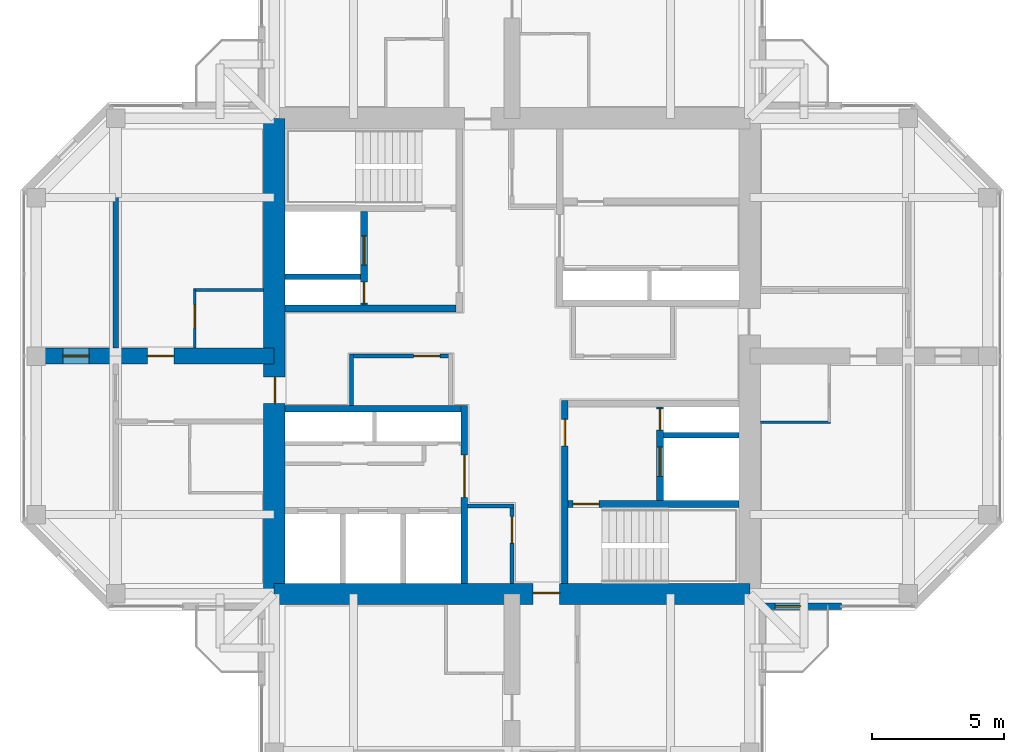
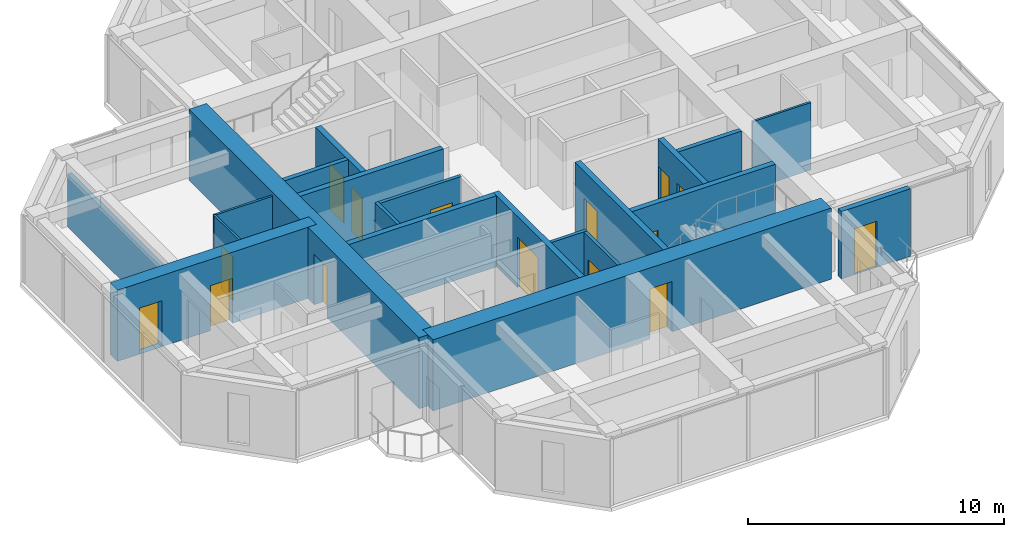
# One storey, part 9 of 13: 21 walls, 15 doors, 15 openings.
"""IFC4 building model written with IfcOpenShell, lengths in metres."""

from ifc_helpers import new_model, si_unit, direction, frame, frame_2d, origin, place, context, subcontext, project, spatial, rectangle, hollow_rectangle, extrude, material, layer, layer_set, constituent, constituent_set, type_object, element, fill, save


model = new_model("IFC4")

# Units and contexts
model_context = context("Model", 3, precision=1e-05, world=origin(), true_north=direction((0.0, 1.0)))
body_context = subcontext(model_context, "Body", "Model", "MODEL_VIEW")
ifc_project = project(units=[si_unit("LENGTHUNIT", "METRE"), si_unit("AREAUNIT", "SQUARE_METRE"), si_unit("VOLUMEUNIT", "CUBIC_METRE"), si_unit("PLANEANGLEUNIT", "RADIAN"), si_unit("MASSUNIT", "GRAM", prefix="KILO")], contexts=[model_context])

# Site, building, storey
site_placement = place(None, origin())
site = spatial("IfcSite", under=ifc_project, at=site_placement, CompositionType="ELEMENT")
building_placement = place(site_placement, origin())
building = spatial("IfcBuilding", under=site, at=building_placement, Name="Torre Cruceta", CompositionType="ELEMENT")
storey_placement = place(building_placement, frame((0.0, 0.0, 274.699951171875)))
storey = spatial("IfcBuildingStorey", under=building, at=storey_placement, Name="L71", CompositionType="ELEMENT", Elevation=274.699951171875)

# Walls
ifc_material_1 = material(Name="Water-resistant plasterboard on steel studs", Category="steel")
ifc_layer_1 = layer(ifc_material_1, 0.10009765625)
ifc_layer_set_1 = layer_set([ifc_layer_1], Name="Water-resistant plasterboard on steel studs")
wall_type_1 = type_object("IfcWallType", Name="BATHROOM WALL 100", PredefinedType="PARTITIONING", material=ifc_layer_set_1)
for number, where, z_axis, x_axis, name in (
    (1, (9.39990234375, -2.5, 0.0), (0.0, 0.0, 1.0), (1.0, 0.0, 0.0), "PT4 L71-E-U1RBB"),
    (2, (-9.39990234375, 2.5, 0.0), (0.0, 0.0, 1.0), (-1.0, 0.0, 0.0), "PT4 L71-W-U1RBB"),
):
    element("IfcWall", number, at=place(storey_placement, frame(where, z_axis=z_axis, x_axis=x_axis)), inside=storey, type_object=wall_type_1, Name=name, PredefinedType="PARTITIONING", context=body_context, shape_type="SweptSolid", body=[
        extrude(rectangle(XDim=2.650146484375, YDim=0.10009765625, at=frame_2d((1.3251953125, 0.0))), origin(), (0.0, 0.0, 1.0), 3.219970703125),
    ])

# Wall, opening, door
wall_1_placement = place(storey_placement, frame((-12.0, 2.5, 0.0), z_axis=(0.0, 0.0, 1.0), x_axis=(0.0, -1.0, 0.0)))
wall_1 = element("IfcWall", 3, at=wall_1_placement, inside=storey, type_object=wall_type_1, Name="PT4 L71-W-U1RBS", PredefinedType="PARTITIONING", context=body_context, shape_type="SweptSolid", body=[
    extrude(rectangle(XDim=2.199951171875, YDim=0.10009765625, at=frame_2d((1.10009765625, 0.0))), origin(), (0.0, 0.0, 1.0), 3.219970703125),
])
opening_1_placement = place(wall_1_placement, frame((0.550048828125, 0.0, 0.0)))
opening_1 = element("IfcOpeningElement", 4, at=opening_1_placement, cuts=wall_1, Name="Opening D7", PredefinedType="OPENING", context=body_context, shape_type="SweptSolid", body=[
    extrude(rectangle(XDim=0.89990234375, YDim=2.10009765625, at=frame_2d((0.449951171875, 1.050048828125))), frame((0.0, 0.06005859375, 0.0), z_axis=(0.0, -1.0, 0.0), x_axis=(1.0, 0.0, 0.0)), (0.0, 0.0, 1.0), 0.1201171875),
])
ifc_material_2 = material(Name="Timber door", Category="wood")
door_type_1 = type_object("IfcDoorType", Name="BATHROOM DOOR 900X2100", OperationType="SINGLE_SWING_LEFT", PredefinedType="DOOR", material=ifc_material_2)
door_1_placement = place(opening_1_placement, origin())
door_1 = element("IfcDoor", 5, at=door_1_placement, inside=storey, type_object=door_type_1, Name="D7 L71-W-U1RBS-D1", OperationType="SINGLE_SWING_LEFT", OverallHeight=2.10009765625, OverallWidth=0.89990234375, PredefinedType="DOOR", context=body_context, shape_type="SweptSolid", body=[
    extrude(rectangle(XDim=0.89990234375, YDim=2.10009765625, at=frame_2d((0.449951171875, 1.050048828125))), frame((0.0, 0.02490234375, 0.0), z_axis=(0.0, -1.0, 0.0), x_axis=(1.0, 0.0, 0.0)), (0.0, 0.0, 1.0), 0.050048828125),
])
fill(opening_1, door_1)

# Wall
ifc_material_3 = material(Name="Concrete G60 (fck 60 MPa)", Category="concrete")
ifc_layer_2 = layer(ifc_material_3, 0.25)
ifc_layer_set_2 = layer_set([ifc_layer_2], Name="Concrete G60 (fck 60 MPa)")
wall_type_2 = type_object("IfcWallType", Name="CORE INNER WALL 250 G60", PredefinedType="SHEAR", material=ifc_layer_set_2)
wall_2_placement = place(storey_placement, frame((-2.125, 1.800048828125, 0.0), z_axis=(0.0, 0.0, 1.0), x_axis=(-1.0, 0.0, 0.0)))
element("IfcWall", 6, at=wall_2_placement, inside=storey, type_object=wall_type_2, Name="CW4 L71 NW-CV", PredefinedType="SHEAR", context=body_context, shape_type="SweptSolid", body=[
    extrude(rectangle(XDim=6.47509765625, YDim=0.25, at=frame_2d((3.237548828125, 0.0))), origin(), (0.0, 0.0, 1.0), 3.400146484375),
])

# Wall, openings, doors
wall_3_placement = place(storey_placement, frame((-5.60009765625, 1.925048828125, 0.0), z_axis=(0.0, 0.0, 1.0), x_axis=(0.0, 1.0, 0.0)))
wall_3 = element("IfcWall", 7, at=wall_3_placement, inside=storey, type_object=wall_type_2, Name="CW4 L71 NW-FU", PredefinedType="SHEAR", context=body_context, shape_type="SweptSolid", body=[
    extrude(rectangle(XDim=3.550048828125, YDim=0.25, at=frame_2d((1.77490234375, 0.0))), origin(), (0.0, 0.0, 1.0), 3.400146484375),
])
opening_2_placement = place(wall_3_placement, frame((1.52490234375, 0.0, 0.0)))
opening_2 = element("IfcOpeningElement", 8, at=opening_2_placement, cuts=wall_3, Name="Opening LD1", PredefinedType="OPENING", context=body_context, shape_type="SweptSolid", body=[
    extrude(rectangle(XDim=1.10009765625, YDim=2.199951171875, at=frame_2d((0.550048828125, 1.10009765625))), frame((0.0, 0.135009765625, 0.0), z_axis=(0.0, -1.0, 0.0), x_axis=(1.0, 0.0, 0.0)), (0.0, 0.0, 1.0), 0.27001953125),
])
opening_3_placement = place(wall_3_placement, frame((0.074951171875, 0.0, 0.0)))
opening_3 = element("IfcOpeningElement", 9, at=opening_3_placement, cuts=wall_3, Name="Opening D5", PredefinedType="OPENING", context=body_context, shape_type="SweptSolid", body=[
    extrude(rectangle(XDim=0.800048828125, YDim=2.10009765625, at=frame_2d((0.39990234375, 1.050048828125))), frame((0.0, 0.135009765625, 0.0), z_axis=(0.0, -1.0, 0.0), x_axis=(1.0, 0.0, 0.0)), (0.0, 0.0, 1.0), 0.27001953125),
])
ifc_material_4 = material(Name="Stainless steel 1.4401", Category="steel")
door_type_2 = type_object("IfcDoorType", Name="LIFT LANDING DOOR 1100X2200", OperationType="DOUBLE_DOOR_SLIDING", PredefinedType="DOOR", material=ifc_material_4)
door_2_placement = place(opening_2_placement, origin())
door_2 = element("IfcDoor", 10, at=door_2_placement, inside=storey, type_object=door_type_2, Name="Lift landing door FL1", OperationType="DOUBLE_DOOR_SLIDING", OverallHeight=2.199951171875, OverallWidth=1.10009765625, PredefinedType="DOOR", context=body_context, shape_type="SweptSolid", body=[
    extrude(rectangle(XDim=1.10009765625, YDim=2.199951171875, at=frame_2d((0.550048828125, 1.10009765625))), frame((0.0, 0.02490234375, 0.0), z_axis=(0.0, -1.0, 0.0), x_axis=(1.0, 0.0, 0.0)), (0.0, 0.0, 1.0), 0.050048828125),
])
fill(opening_2, door_2)
ifc_material_5 = material(Name="Steel DX51D", Category="steel")
ifc_constituent_1 = constituent(ifc_material_5, Name="Leaf and frame")
ifc_material_6 = material(Name="Polyester powder coating", Category="paint")
ifc_constituent_2 = constituent(ifc_material_6, Name="Finish")
ifc_constituent_set_1 = constituent_set(constituents=[ifc_constituent_1, ifc_constituent_2], Name="Steel fire door")
door_type_3 = type_object("IfcDoorType", Name="RISER ACCESS DOOR 800X2100", OperationType="SINGLE_SWING_LEFT", PredefinedType="DOOR", material=ifc_constituent_set_1)
door_3_placement = place(opening_3_placement, origin())
door_3 = element("IfcDoor", 11, at=door_3_placement, inside=storey, type_object=door_type_3, Name="D5 L71 NW-RISER", OperationType="SINGLE_SWING_LEFT", OverallHeight=2.10009765625, OverallWidth=0.800048828125, PredefinedType="DOOR", context=body_context, shape_type="SweptSolid", body=[
    extrude(rectangle(XDim=0.800048828125, YDim=2.10009765625, at=frame_2d((0.39990234375, 1.050048828125))), frame((0.0, 0.02490234375, 0.0), z_axis=(0.0, -1.0, 0.0), x_axis=(1.0, 0.0, 0.0)), (0.0, 0.0, 1.0), 0.050048828125),
])
fill(opening_3, door_3)

# Wall, opening, door
wall_4_placement = place(storey_placement, frame((-1.800048828125, -1.875, 0.0), z_axis=(0.0, 0.0, 1.0), x_axis=(0.0, -1.0, 0.0)))
wall_4 = element("IfcWall", 12, at=wall_4_placement, inside=storey, type_object=wall_type_2, Name="CW4 L71 SW-CU", PredefinedType="SHEAR", context=body_context, shape_type="SweptSolid", body=[
    extrude(rectangle(XDim=6.72509765625, YDim=0.25, at=frame_2d((3.362548828125, 0.0))), origin(), (0.0, 0.0, 1.0), 3.400146484375),
])
opening_4_placement = place(wall_4_placement, frame((1.875, 0.0, 0.0)))
opening_4 = element("IfcOpeningElement", 13, at=opening_4_placement, cuts=wall_4, Name="Opening D8", PredefinedType="OPENING", context=body_context, shape_type="SweptSolid", body=[
    extrude(rectangle(XDim=1.60009765625, YDim=2.39990234375, at=frame_2d((0.800048828125, 1.199951171875))), frame((0.0, 0.135009765625, 0.0), z_axis=(0.0, -1.0, 0.0), x_axis=(1.0, 0.0, 0.0)), (0.0, 0.0, 1.0), 0.27001953125),
])
ifc_material_7 = material(Name="Steel DX51D", Category="steel")
ifc_constituent_3 = constituent(ifc_material_7, Name="Leaf and frame")
ifc_material_8 = material(Name="Polyester powder coating", Category="paint")
ifc_constituent_4 = constituent(ifc_material_8, Name="Finish")
ifc_material_9 = material(Name="Fire-resisting glass", Category="glass")
ifc_constituent_5 = constituent(ifc_material_9, Name="Vision panel")
ifc_constituent_set_2 = constituent_set(constituents=[ifc_constituent_3, ifc_constituent_4, ifc_constituent_5], Name="Steel fire door with vision panels")
door_type_4 = type_object("IfcDoorType", Name="LIFT LOBBY DOUBLE DOOR 1600X2400", OperationType="DOUBLE_DOOR_DOUBLE_SWING", PredefinedType="DOOR", material=ifc_constituent_set_2)
door_4_placement = place(opening_4_placement, origin())
door_4 = element("IfcDoor", 14, at=door_4_placement, inside=storey, type_object=door_type_4, Name="D8 L71 SW-LOBBY", OperationType="DOUBLE_DOOR_DOUBLE_SWING", OverallHeight=2.39990234375, OverallWidth=1.60009765625, PredefinedType="DOOR", context=body_context, shape_type="SweptSolid", body=[
    extrude(rectangle(XDim=1.60009765625, YDim=2.39990234375, at=frame_2d((0.800048828125, 1.199951171875))), frame((0.0, 0.02490234375, 0.0), z_axis=(0.0, -1.0, 0.0), x_axis=(1.0, 0.0, 0.0)), (0.0, 0.0, 1.0), 0.050048828125),
])
fill(opening_4, door_4)

# Wall
wall_5_placement = place(storey_placement, frame((-1.925048828125, -2.0, 0.0), z_axis=(0.0, 0.0, 1.0), x_axis=(-1.0, 0.0, 0.0)))
element("IfcWall", 15, at=wall_5_placement, inside=storey, type_object=wall_type_2, Name="CW4 L71 SW-CV", PredefinedType="SHEAR", context=body_context, shape_type="SweptSolid", body=[
    extrude(rectangle(XDim=6.675048828125, YDim=0.25, at=frame_2d((3.33740234375, 0.0))), origin(), (0.0, 0.0, 1.0), 3.400146484375),
])

# Wall, opening, door
wall_6_placement = place(storey_placement, frame((2.0, -1.675048828125, 0.0), z_axis=(0.0, 0.0, 1.0), x_axis=(0.0, -1.0, 0.0)))
wall_6 = element("IfcWall", 16, at=wall_6_placement, inside=storey, type_object=wall_type_2, Name="CW4 L71 SE-CU", PredefinedType="SHEAR", context=body_context, shape_type="SweptSolid", body=[
    extrude(rectangle(XDim=6.925048828125, YDim=0.25, at=frame_2d((3.46240234375, 0.0))), origin(), (0.0, 0.0, 1.0), 3.400146484375),
])
opening_5_placement = place(wall_6_placement, frame((0.72509765625, 0.0, 0.0)))
opening_5 = element("IfcOpeningElement", 17, at=opening_5_placement, cuts=wall_6, Name="Opening D3", PredefinedType="OPENING", context=body_context, shape_type="SweptSolid", body=[
    extrude(rectangle(XDim=1.0, YDim=2.10009765625, at=frame_2d((0.5, 1.050048828125))), frame((0.0, 0.135009765625, 0.0), z_axis=(0.0, -1.0, 0.0), x_axis=(1.0, 0.0, 0.0)), (0.0, 0.0, 1.0), 0.27001953125),
])
ifc_material_10 = material(Name="Steel DX51D", Category="steel")
ifc_constituent_6 = constituent(ifc_material_10, Name="Leaf and frame")
ifc_material_11 = material(Name="Polyester powder coating", Category="paint")
ifc_constituent_7 = constituent(ifc_material_11, Name="Finish")
ifc_constituent_set_3 = constituent_set(constituents=[ifc_constituent_6, ifc_constituent_7], Name="Steel fire door")
door_type_5 = type_object("IfcDoorType", Name="FIRE DOOR 1000X2100", OperationType="SINGLE_SWING_LEFT", PredefinedType="DOOR", material=ifc_constituent_set_3)
door_5_placement = place(opening_5_placement, origin())
door_5 = element("IfcDoor", 18, at=door_5_placement, inside=storey, type_object=door_type_5, Name="D3 L71 SE-LOBBY", OperationType="SINGLE_SWING_LEFT", OverallHeight=2.10009765625, OverallWidth=1.0, PredefinedType="DOOR", context=body_context, shape_type="SweptSolid", body=[
    extrude(rectangle(XDim=1.0, YDim=2.10009765625, at=frame_2d((0.5, 1.050048828125))), frame((0.0, 0.02490234375, 0.0), z_axis=(0.0, -1.0, 0.0), x_axis=(1.0, 0.0, 0.0)), (0.0, 0.0, 1.0), 0.050048828125),
])
fill(opening_5, door_5)

wall_7_placement = place(storey_placement, frame((2.125, -5.60009765625, 0.0), z_axis=(0.0, 0.0, 1.0), x_axis=(1.0, 0.0, 0.0)))
wall_7 = element("IfcWall", 19, at=wall_7_placement, inside=storey, type_object=wall_type_2, Name="CW4 L71 SE-SV", PredefinedType="SHEAR", context=body_context, shape_type="SweptSolid", body=[
    extrude(rectangle(XDim=6.47509765625, YDim=0.25, at=frame_2d((3.237548828125, 0.0))), origin(), (0.0, 0.0, 1.0), 3.400146484375),
])
opening_6_placement = place(wall_7_placement, frame((0.175048828125, 0.0, 0.0)))
opening_6 = element("IfcOpeningElement", 20, at=opening_6_placement, cuts=wall_7, Name="Opening D3", PredefinedType="OPENING", context=body_context, shape_type="SweptSolid", body=[
    extrude(rectangle(XDim=1.0, YDim=2.10009765625, at=frame_2d((0.5, 1.050048828125))), frame((0.0, 0.135009765625, 0.0), z_axis=(0.0, -1.0, 0.0), x_axis=(1.0, 0.0, 0.0)), (0.0, 0.0, 1.0), 0.27001953125),
])
door_6_placement = place(opening_6_placement, frame((1.0, 0.0, 0.0), z_axis=(0.0, 0.0, 1.0), x_axis=(-1.0, 0.0, 0.0)))
door_6 = element("IfcDoor", 21, at=door_6_placement, inside=storey, type_object=door_type_5, Name="D3 L71 SE-STAIR", OperationType="SINGLE_SWING_RIGHT", OverallHeight=2.10009765625, OverallWidth=1.0, PredefinedType="DOOR", context=body_context, shape_type="SweptSolid", body=[
    extrude(rectangle(XDim=1.0, YDim=2.10009765625, at=frame_2d((0.5, 1.050048828125))), frame((0.0, 0.025146484375, 0.0), z_axis=(0.0, -1.0, 0.0), x_axis=(1.0, 0.0, 0.0)), (0.0, 0.0, 1.0), 0.050048828125),
])
fill(opening_6, door_6)

# Wall, openings, doors
wall_8_placement = place(storey_placement, frame((5.60009765625, -1.925048828125, 0.0), z_axis=(0.0, 0.0, 1.0), x_axis=(0.0, -1.0, 0.0)))
wall_8 = element("IfcWall", 22, at=wall_8_placement, inside=storey, type_object=wall_type_2, Name="CW4 L71 SE-FU", PredefinedType="SHEAR", context=body_context, shape_type="SweptSolid", body=[
    extrude(rectangle(XDim=3.550048828125, YDim=0.25, at=frame_2d((1.77490234375, 0.0))), origin(), (0.0, 0.0, 1.0), 3.400146484375),
])
opening_7_placement = place(wall_8_placement, frame((1.52490234375, 0.0, 0.0)))
opening_7 = element("IfcOpeningElement", 23, at=opening_7_placement, cuts=wall_8, Name="Opening LD1", PredefinedType="OPENING", context=body_context, shape_type="SweptSolid", body=[
    extrude(rectangle(XDim=1.10009765625, YDim=2.199951171875, at=frame_2d((0.550048828125, 1.10009765625))), frame((0.0, 0.135009765625, 0.0), z_axis=(0.0, -1.0, 0.0), x_axis=(1.0, 0.0, 0.0)), (0.0, 0.0, 1.0), 0.27001953125),
])
opening_8_placement = place(wall_8_placement, frame((0.074951171875, 0.0, 0.0)))
opening_8 = element("IfcOpeningElement", 24, at=opening_8_placement, cuts=wall_8, Name="Opening D5", PredefinedType="OPENING", context=body_context, shape_type="SweptSolid", body=[
    extrude(rectangle(XDim=0.800048828125, YDim=2.10009765625, at=frame_2d((0.39990234375, 1.050048828125))), frame((0.0, 0.135009765625, 0.0), z_axis=(0.0, -1.0, 0.0), x_axis=(1.0, 0.0, 0.0)), (0.0, 0.0, 1.0), 0.27001953125),
])
door_7_placement = place(opening_7_placement, origin())
door_7 = element("IfcDoor", 25, at=door_7_placement, inside=storey, type_object=door_type_2, Name="Lift landing door FL2", OperationType="DOUBLE_DOOR_SLIDING", OverallHeight=2.199951171875, OverallWidth=1.10009765625, PredefinedType="DOOR", context=body_context, shape_type="SweptSolid", body=[
    extrude(rectangle(XDim=1.10009765625, YDim=2.199951171875, at=frame_2d((0.550048828125, 1.10009765625))), frame((0.0, 0.02490234375, 0.0), z_axis=(0.0, -1.0, 0.0), x_axis=(1.0, 0.0, 0.0)), (0.0, 0.0, 1.0), 0.050048828125),
])
fill(opening_7, door_7)
door_8_placement = place(opening_8_placement, origin())
door_8 = element("IfcDoor", 26, at=door_8_placement, inside=storey, type_object=door_type_3, Name="D5 L71 SE-RISER", OperationType="SINGLE_SWING_LEFT", OverallHeight=2.10009765625, OverallWidth=0.800048828125, PredefinedType="DOOR", context=body_context, shape_type="SweptSolid", body=[
    extrude(rectangle(XDim=0.800048828125, YDim=2.10009765625, at=frame_2d((0.39990234375, 1.050048828125))), frame((0.0, 0.02490234375, 0.0), z_axis=(0.0, -1.0, 0.0), x_axis=(1.0, 0.0, 0.0)), (0.0, 0.0, 1.0), 0.050048828125),
])
fill(opening_8, door_8)

# Wall, opening, door
ifc_material_12 = material(Name="Concrete G60 (fck 60 MPa)", Category="concrete")
ifc_layer_3 = layer(ifc_material_12, 0.800048828125)
ifc_layer_set_3 = layer_set([ifc_layer_3], Name="Concrete G60 (fck 60 MPa)")
wall_type_3 = type_object("IfcWallType", Name="CORE WALL 800 G60", PredefinedType="SHEAR", material=ifc_layer_set_3)
wall_9_placement = place(storey_placement, frame((-9.0, -9.0, 0.0), z_axis=(0.0, 0.0, 1.0), x_axis=(1.0, 0.0, 0.0)))
wall_9 = element("IfcWall", 27, at=wall_9_placement, inside=storey, type_object=wall_type_3, Name="CW3 L71 CW-S", PredefinedType="SHEAR", context=body_context, shape_type="SweptSolid", body=[
    extrude(rectangle(XDim=18.0, YDim=0.800048828125, at=frame_2d((9.0, 0.0))), origin(), (0.0, 0.0, 1.0), 3.400146484375),
])
opening_9_placement = place(wall_9_placement, frame((9.800048828125, 0.0, 0.0)))
opening_9 = element("IfcOpeningElement", 28, at=opening_9_placement, cuts=wall_9, Name="Opening D4", PredefinedType="OPENING", context=body_context, shape_type="SweptSolid", body=[
    extrude(rectangle(XDim=1.0, YDim=2.39990234375, at=frame_2d((0.5, 1.199951171875))), frame((0.0, 0.409912109375, 0.0), z_axis=(0.0, -1.0, 0.0), x_axis=(1.0, 0.0, 0.0)), (0.0, 0.0, 1.0), 0.820068359375),
])
ifc_material_13 = material(Name="Steel DX51D", Category="steel")
ifc_constituent_8 = constituent(ifc_material_13, Name="Leaf and frame")
ifc_material_14 = material(Name="Polyester powder coating", Category="paint")
ifc_constituent_9 = constituent(ifc_material_14, Name="Finish")
ifc_constituent_set_4 = constituent_set(constituents=[ifc_constituent_8, ifc_constituent_9], Name="Steel fire door")
door_type_6 = type_object("IfcDoorType", Name="CORE ARM DOOR 1000X2400", OperationType="SINGLE_SWING_RIGHT", PredefinedType="DOOR", material=ifc_constituent_set_4)
door_9_placement = place(opening_9_placement, origin())
door_9 = element("IfcDoor", 29, at=door_9_placement, inside=storey, type_object=door_type_6, Name="D4 L71 CW-S", OperationType="SINGLE_SWING_RIGHT", OverallHeight=2.39990234375, OverallWidth=1.0, PredefinedType="DOOR", context=body_context, shape_type="SweptSolid", body=[
    extrude(rectangle(XDim=1.0, YDim=2.39990234375, at=frame_2d((0.5, 1.199951171875))), frame((0.0, 0.05517578125, 0.0), z_axis=(0.0, -1.0, 0.0), x_axis=(1.0, 0.0, 0.0)), (0.0, 0.0, 1.0), 0.050048828125),
])
fill(opening_9, door_9)

wall_10_placement = place(storey_placement, frame((-9.0, 9.0, 0.0), z_axis=(0.0, 0.0, 1.0), x_axis=(0.0, -1.0, 0.0)))
wall_10 = element("IfcWall", 30, at=wall_10_placement, inside=storey, type_object=wall_type_3, Name="CW3 L71 CW-W", PredefinedType="SHEAR", context=body_context, shape_type="SweptSolid", body=[
    extrude(rectangle(XDim=18.0, YDim=0.800048828125, at=frame_2d((9.0, 0.0))), origin(), (0.0, 0.0, 1.0), 3.400146484375),
])
opening_10_placement = place(wall_10_placement, frame((9.800048828125, 0.0, 0.0)))
opening_10 = element("IfcOpeningElement", 31, at=opening_10_placement, cuts=wall_10, Name="Opening D4", PredefinedType="OPENING", context=body_context, shape_type="SweptSolid", body=[
    extrude(rectangle(XDim=1.0, YDim=2.39990234375, at=frame_2d((0.5, 1.199951171875))), frame((0.0, 0.409912109375, 0.0), z_axis=(0.0, -1.0, 0.0), x_axis=(1.0, 0.0, 0.0)), (0.0, 0.0, 1.0), 0.820068359375),
])
door_10_placement = place(opening_10_placement, origin())
door_10 = element("IfcDoor", 32, at=door_10_placement, inside=storey, type_object=door_type_6, Name="D4 L71 CW-W", OperationType="SINGLE_SWING_RIGHT", OverallHeight=2.39990234375, OverallWidth=1.0, PredefinedType="DOOR", context=body_context, shape_type="SweptSolid", body=[
    extrude(rectangle(XDim=1.0, YDim=2.39990234375, at=frame_2d((0.5, 1.199951171875))), frame((0.0, 0.05517578125, 0.0), z_axis=(0.0, -1.0, 0.0), x_axis=(1.0, 0.0, 0.0)), (0.0, 0.0, 1.0), 0.050048828125),
])
fill(opening_10, door_10)

# Walls
ifc_material_15 = material(Name="Concrete G35 (fck 35 MPa)", Category="concrete")
ifc_layer_4 = layer(ifc_material_15, 0.199951171875)
ifc_layer_set_4 = layer_set([ifc_layer_4], Name="Concrete G35 (fck 35 MPa)")
wall_type_4 = type_object("IfcWallType", Name="LIFT SHAFT WALL 200", PredefinedType="PARTITIONING", material=ifc_layer_set_4)
for number, where, z_axis, x_axis, name in (
    (33, (-5.72509765625, 3.0, 0.0), (0.0, 0.0, 1.0), (-1.0, 0.0, 0.0), "SW1 L71 NW-FR"),
    (34, (5.72509765625, -3.0, 0.0), (0.0, 0.0, 1.0), (1.0, 0.0, 0.0), "SW1 L71 SE-FR"),
):
    element("IfcWall", number, at=place(storey_placement, frame(where, z_axis=z_axis, x_axis=x_axis)), inside=storey, type_object=wall_type_4, Name=name, PredefinedType="PARTITIONING", context=body_context, shape_type="SweptSolid", body=[
        extrude(rectangle(XDim=2.875, YDim=0.199951171875, at=frame_2d((1.4375, 0.0))), origin(), (0.0, 0.0, 1.0), 3.400146484375),
    ])

# Wall, opening, door
ifc_material_16 = material(Name="Plasterboard on steel studs", Category="steel")
ifc_layer_5 = layer(ifc_material_16, 0.14990234375)
ifc_layer_set_5 = layer_set([ifc_layer_5], Name="Plasterboard on steel studs")
wall_type_5 = type_object("IfcWallType", Name="PARTITION 150", PredefinedType="PARTITIONING", material=ifc_layer_set_5)
wall_11_placement = place(storey_placement, frame((-2.324951171875, 0.0, 0.0), z_axis=(0.0, 0.0, 1.0), x_axis=(-1.0, 0.0, 0.0)))
wall_11 = element("IfcWall", 35, at=wall_11_placement, inside=storey, type_object=wall_type_5, Name="PT1 L71-CORE-LEGW-S-W1", PredefinedType="PARTITIONING", context=body_context, shape_type="SweptSolid", body=[
    extrude(rectangle(XDim=3.75, YDim=0.14990234375, at=frame_2d((1.875, 0.0))), origin(), (0.0, 0.0, 1.0), 3.219970703125),
])
opening_11_placement = place(wall_11_placement, frame((0.39990234375, 0.0, 0.0)))
opening_11 = element("IfcOpeningElement", 36, at=opening_11_placement, cuts=wall_11, Name="Opening D3", PredefinedType="OPENING", context=body_context, shape_type="SweptSolid", body=[
    extrude(rectangle(XDim=1.0, YDim=2.10009765625, at=frame_2d((0.5, 1.050048828125))), frame((0.0, 0.0849609375, 0.0), z_axis=(0.0, -1.0, 0.0), x_axis=(1.0, 0.0, 0.0)), (0.0, 0.0, 1.0), 0.169921875),
])
door_11_placement = place(opening_11_placement, origin())
door_11 = element("IfcDoor", 37, at=door_11_placement, inside=storey, type_object=door_type_5, Name="D3 L71-CORE-LEGW-S-W1-D1", OperationType="SINGLE_SWING_LEFT", OverallHeight=2.10009765625, OverallWidth=1.0, PredefinedType="DOOR", context=body_context, shape_type="SweptSolid", body=[
    extrude(rectangle(XDim=1.0, YDim=2.10009765625, at=frame_2d((0.5, 1.050048828125))), frame((0.0, 0.02490234375, 0.0), z_axis=(0.0, -1.0, 0.0), x_axis=(1.0, 0.0, 0.0)), (0.0, 0.0, 1.0), 0.050048828125),
])
fill(opening_11, door_11)

# Wall
wall_12_placement = place(storey_placement, frame((-6.074951171875, 0.074951171875, 0.0), z_axis=(0.0, 0.0, 1.0), x_axis=(0.0, -1.0, 0.0)))
element("IfcWall", 38, at=wall_12_placement, inside=storey, type_object=wall_type_5, Name="PT1 L71-CORE-LEGW-S-W3", PredefinedType="PARTITIONING", context=body_context, shape_type="SweptSolid", body=[
    extrude(rectangle(XDim=1.949951171875, YDim=0.14990234375, at=frame_2d((0.97509765625, 0.0))), origin(), (0.0, 0.0, 1.0), 3.219970703125),
])

# Wall, opening, door
wall_13_placement = place(storey_placement, frame((0.0, -5.675048828125, 0.0), z_axis=(0.0, 0.0, 1.0), x_axis=(0.0, -1.0, 0.0)))
wall_13 = element("IfcWall", 39, at=wall_13_placement, inside=storey, type_object=wall_type_5, Name="PT1 L71-CORE-LEGS-W-W1", PredefinedType="PARTITIONING", context=body_context, shape_type="SweptSolid", body=[
    extrude(rectangle(XDim=2.925048828125, YDim=0.14990234375, at=frame_2d((1.46240234375, 0.0))), origin(), (0.0, 0.0, 1.0), 3.219970703125),
])
opening_12_placement = place(wall_13_placement, frame((0.39990234375, 0.0, 0.0)))
opening_12 = element("IfcOpeningElement", 40, at=opening_12_placement, cuts=wall_13, Name="Opening D3", PredefinedType="OPENING", context=body_context, shape_type="SweptSolid", body=[
    extrude(rectangle(XDim=1.0, YDim=2.10009765625, at=frame_2d((0.5, 1.050048828125))), frame((0.0, 0.0849609375, 0.0), z_axis=(0.0, -1.0, 0.0), x_axis=(1.0, 0.0, 0.0)), (0.0, 0.0, 1.0), 0.169921875),
])
door_12_placement = place(opening_12_placement, frame((1.0, 0.0, 0.0), z_axis=(0.0, 0.0, 1.0), x_axis=(-1.0, 0.0, 0.0)))
door_12 = element("IfcDoor", 41, at=door_12_placement, inside=storey, type_object=door_type_5, Name="D3 L71-CORE-LEGS-W-W1-D1", OperationType="SINGLE_SWING_RIGHT", OverallHeight=2.10009765625, OverallWidth=1.0, PredefinedType="DOOR", context=body_context, shape_type="SweptSolid", body=[
    extrude(rectangle(XDim=1.0, YDim=2.10009765625, at=frame_2d((0.5, 1.050048828125))), frame((0.0, 0.025146484375, 0.0), z_axis=(0.0, -1.0, 0.0), x_axis=(1.0, 0.0, 0.0)), (0.0, 0.0, 1.0), 0.050048828125),
])
fill(opening_12, door_12)

# Wall
wall_14_placement = place(storey_placement, frame((-1.675048828125, -5.675048828125, 0.0), z_axis=(0.0, 0.0, 1.0), x_axis=(1.0, 0.0, 0.0)))
element("IfcWall", 42, at=wall_14_placement, inside=storey, type_object=wall_type_5, Name="PT1 L71-CORE-LEGS-W-W2", PredefinedType="PARTITIONING", context=body_context, shape_type="SweptSolid", body=[
    extrude(rectangle(XDim=1.75, YDim=0.14990234375, at=frame_2d((0.875, 0.0))), origin(), (0.0, 0.0, 1.0), 3.219970703125),
])

# Wall, openings, doors
ifc_material_17 = material(Name="Concrete G60 (fck 60 MPa)", Category="concrete")
ifc_layer_6 = layer(ifc_material_17, 0.60009765625)
ifc_layer_set_6 = layer_set([ifc_layer_6], Name="Concrete G60 (fck 60 MPa)")
wall_type_6 = type_object("IfcWallType", Name="SPINE WALL 600 G60", PredefinedType="SHEAR", material=ifc_layer_set_6)
wall_15_placement = place(storey_placement, frame((-9.0, 0.0, 0.0), z_axis=(0.0, 0.0, 1.0), x_axis=(-1.0, 0.0, 0.0)))
wall_15 = element("IfcWall", 43, at=wall_15_placement, inside=storey, type_object=wall_type_6, Name="SW5 spine wall L71 W", PredefinedType="SHEAR", context=body_context, shape_type="SweptSolid", body=[
    extrude(rectangle(XDim=9.0, YDim=0.60009765625, at=frame_2d((4.5, 0.0))), origin(), (0.0, 0.0, 1.0), 3.400146484375),
])
opening_13_placement = place(wall_15_placement, frame((3.800048828125, 0.0, 0.0)))
opening_13 = element("IfcOpeningElement", 44, at=opening_13_placement, cuts=wall_15, Name="Opening D6", PredefinedType="OPENING", context=body_context, shape_type="SweptSolid", body=[
    extrude(rectangle(XDim=1.0, YDim=2.14990234375, at=frame_2d((0.5, 1.074951171875))), frame((0.0, 0.31005859375, 0.0), z_axis=(0.0, -1.0, 0.0), x_axis=(1.0, 0.0, 0.0)), (0.0, 0.0, 1.0), 0.6201171875),
])
opening_14_placement = place(wall_15_placement, frame((7.0, 0.0, 0.0)))
opening_14 = element("IfcOpeningElement", 45, at=opening_14_placement, cuts=wall_15, Name="Opening D14", PredefinedType="OPENING", context=body_context, shape_type="SweptSolid", body=[
    extrude(rectangle(XDim=1.0, YDim=2.199951171875, at=frame_2d((0.5, 1.10009765625))), frame((0.0, 0.31005859375, 0.0), z_axis=(0.0, -1.0, 0.0), x_axis=(1.0, 0.0, 0.0)), (0.0, 0.0, 1.0), 0.6201171875),
])
ifc_material_18 = material(Name="Steel DX51D", Category="steel")
ifc_constituent_10 = constituent(ifc_material_18, Name="Leaf and frame")
ifc_material_19 = material(Name="Polyester powder coating", Category="paint")
ifc_constituent_11 = constituent(ifc_material_19, Name="Finish")
ifc_material_20 = material(Name="Fire-resisting glass", Category="glass")
ifc_constituent_12 = constituent(ifc_material_20, Name="Vision panel")
ifc_constituent_set_5 = constituent_set(constituents=[ifc_constituent_10, ifc_constituent_11, ifc_constituent_12], Name="Steel fire door with vision panel")
door_type_7 = type_object("IfcDoorType", Name="FIRE DOOR VISION PANEL 1000X2200", OperationType="SINGLE_SWING_RIGHT", PredefinedType="DOOR", material=ifc_constituent_set_5)
door_13_placement = place(opening_14_placement, origin())
door_13 = element("IfcDoor", 46, at=door_13_placement, inside=storey, type_object=door_type_7, Name="D14 L71-W-SP2", OperationType="SINGLE_SWING_LEFT", OverallHeight=2.199951171875, OverallWidth=1.0, PredefinedType="DOOR", context=body_context, shape_type="SweptSolid", body=[
    extrude(rectangle(XDim=1.0, YDim=2.199951171875, at=frame_2d((0.5, 1.10009765625))), frame((0.0, 0.02490234375, 0.0), z_axis=(0.0, -1.0, 0.0), x_axis=(1.0, 0.0, 0.0)), (0.0, 0.0, 1.0), 0.050048828125),
])
fill(opening_14, door_13)
ifc_material_21 = material(Name="Timber fire door", Category="wood")
door_type_8 = type_object("IfcDoorType", Name="UNIT ENTRANCE DOOR 1000X2150", OperationType="SINGLE_SWING_LEFT", PredefinedType="DOOR", material=ifc_material_21)
door_14_placement = place(opening_13_placement, frame((1.0, 0.0, 0.0), z_axis=(0.0, 0.0, 1.0), x_axis=(-1.0, 0.0, 0.0)))
door_14 = element("IfcDoor", 47, at=door_14_placement, inside=storey, type_object=door_type_8, Name="D6 L71-W-SP1", OperationType="SINGLE_SWING_RIGHT", OverallHeight=2.14990234375, OverallWidth=1.0, PredefinedType="DOOR", context=body_context, shape_type="SweptSolid", body=[
    extrude(rectangle(XDim=1.0, YDim=2.14990234375, at=frame_2d((0.5, 1.074951171875))), frame((0.0, 0.025146484375, 0.0), z_axis=(0.0, -1.0, 0.0), x_axis=(1.0, 0.0, 0.0)), (0.0, 0.0, 1.0), 0.050048828125),
])
fill(opening_13, door_14)

# Wall
ifc_material_22 = material(Name="Concrete G25 (fck 25 MPa)", Category="concrete")
ifc_layer_7 = layer(ifc_material_22, 0.199951171875)
ifc_layer_set_7 = layer_set([ifc_layer_7], Name="Concrete G25 (fck 25 MPa)")
wall_type_7 = type_object("IfcWallType", Name="UNIT SEPARATING WALL 200", PredefinedType="SOLIDWALL", material=ifc_layer_set_7)
wall_16_placement = place(storey_placement, frame((-15.0, 8.64990234375, 0.0), z_axis=(0.0, 0.0, 1.0), x_axis=(0.0, -1.0, 0.0)))
element("IfcWall", 48, at=wall_16_placement, inside=storey, type_object=wall_type_7, Name="PT2 L71-W-ENDa", PredefinedType="SOLIDWALL", context=body_context, shape_type="SweptSolid", body=[
    extrude(rectangle(XDim=8.349853515625, YDim=0.199951171875, at=frame_2d((4.1748046875, 0.0))), origin(), (0.0, 0.0, 1.0), 2.52001953125),
])

# Wall, opening, door
ifc_material_23 = material(Name="Concrete G30 (fck 30 MPa)", Category="concrete")
ifc_layer_8 = layer(ifc_material_23, 0.25)
ifc_layer_set_8 = layer_set([ifc_layer_8], Name="Concrete G30 (fck 30 MPa)")
wall_type_8 = type_object("IfcWallType", Name="WINTER GARDEN WALL 250", PredefinedType="SOLIDWALL", material=ifc_layer_set_8)
wall_17_placement = place(storey_placement, frame((9.344970703125, -9.469970703125, 0.0), z_axis=(0.0, 0.0, 1.0), x_axis=(1.0, 0.0, 0.0)))
wall_17 = element("IfcWall", 49, at=wall_17_placement, inside=storey, type_object=wall_type_8, Name="EW2 winter garden wall L71 00", PredefinedType="SOLIDWALL", context=body_context, shape_type="SweptSolid", body=[
    extrude(rectangle(XDim=3.125, YDim=0.25, at=frame_2d((1.5625, 0.0))), origin(), (0.0, 0.0, 1.0), 3.219970703125),
])
opening_15_placement = place(wall_17_placement, frame((0.60009765625, 0.0, 0.0)))
opening_15 = element("IfcOpeningElement", 50, at=opening_15_placement, cuts=wall_17, Name="Opening D10", PredefinedType="OPENING", context=body_context, shape_type="SweptSolid", body=[
    extrude(rectangle(XDim=1.0, YDim=2.199951171875, at=frame_2d((0.5, 1.10009765625))), frame((0.0, 0.135009765625, 0.0), z_axis=(0.0, -1.0, 0.0), x_axis=(1.0, 0.0, 0.0)), (0.0, 0.0, 1.0), 0.27001953125),
])
ifc_material_24 = material(Name="Aluminium door frame", Category="aluminium")
ifc_constituent_13 = constituent(ifc_material_24, Name="Frame")
ifc_material_25 = material(Name="Laminated safety glass", Category="glass")
ifc_constituent_14 = constituent(ifc_material_25, Name="Glazing")
ifc_constituent_set_6 = constituent_set(constituents=[ifc_constituent_13, ifc_constituent_14], Name="Aluminium glazed door")
door_type_9 = type_object("IfcDoorType", Name="BALCONY DOOR 1000X2200", OperationType="SINGLE_SWING_RIGHT", PredefinedType="DOOR", material=ifc_constituent_set_6)
door_15_placement = place(opening_15_placement, origin())
door_15 = element("IfcDoor", 51, at=door_15_placement, inside=storey, type_object=door_type_9, Name="D10 balcony door L71 00", OperationType="SINGLE_SWING_LEFT", OverallHeight=2.199951171875, OverallWidth=1.0, PredefinedType="DOOR", context=body_context, shape_type="SweptSolid", body=[
    extrude(hollow_rectangle(XDim=1.0, YDim=2.199951171875, WallThickness=0.06005859375, at=frame_2d((0.5, 1.10009765625))), frame((0.0, 0.02490234375, 0.0), z_axis=(0.0, -1.0, 0.0), x_axis=(1.0, 0.0, 0.0)), (0.0, 0.0, 1.0), 0.050048828125),
    extrude(rectangle(XDim=0.87890625, YDim=2.078857421875, at=frame_2d((0.5, 1.10009765625))), frame((0.0, 0.02490234375, 0.0), z_axis=(0.0, -1.0, 0.0), x_axis=(1.0, 0.0, 0.0)), (0.0, 0.0, 1.0), 0.050048828125),
])
fill(opening_15, door_15)

save(model, "model.ifc")
